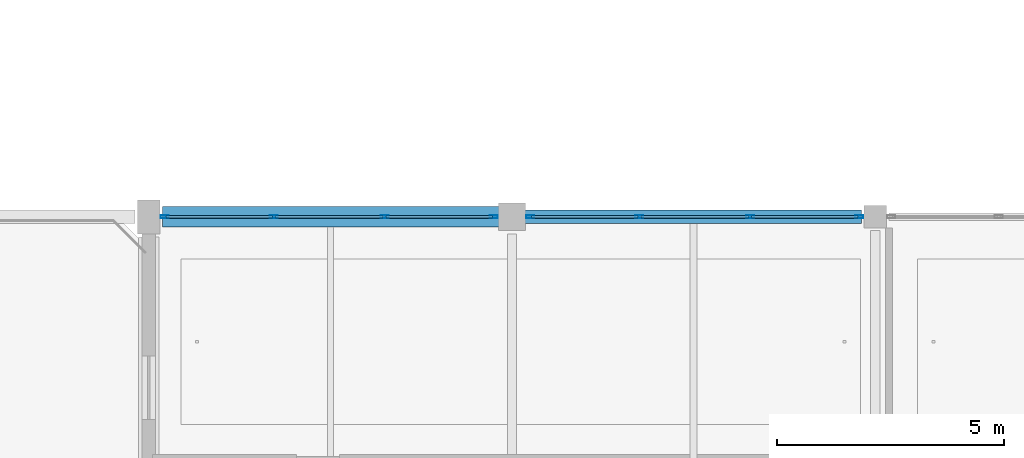
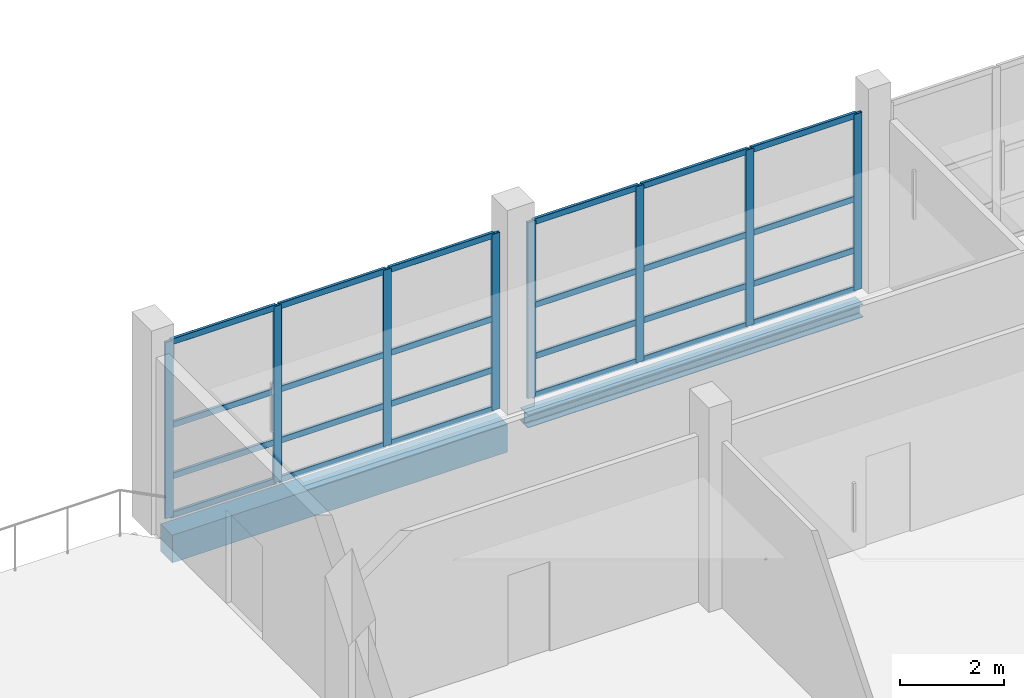
# One storey, part 22 of 107: 32 members, 2 beams, 2 elements without a shape of their own.
"""IFC4 building model written with IfcOpenShell, lengths in metres."""

from ifc_helpers import new_model, si_unit, direction, frame, origin, origin_2d, place, context, subcontext, project, spatial, rectangle, hollow_rectangle, i_section, extrude, material, material_profile, profile_set, type_object, element, aggregate, save


model = new_model("IFC4")

# Units and contexts
model_context = context("Model", 3, precision=1e-05, world=origin(), true_north=direction((0.0, 1.0)))
body_context = subcontext(model_context, "Body", "Model", "MODEL_VIEW")
ifc_project = project(units=[si_unit("LENGTHUNIT", "METRE"), si_unit("AREAUNIT", "SQUARE_METRE"), si_unit("VOLUMEUNIT", "CUBIC_METRE"), si_unit("PLANEANGLEUNIT", "RADIAN"), si_unit("MASSUNIT", "GRAM", prefix="KILO")], contexts=[model_context])

# Site, building, storey
site_placement = place(None, origin())
site = spatial("IfcSite", under=ifc_project, at=site_placement, CompositionType="ELEMENT")
building_placement = place(site_placement, origin())
building = spatial("IfcBuilding", under=site, at=building_placement, Name="Khelvaren Railside Concert Hall", CompositionType="ELEMENT")
storey_placement = place(building_placement, frame((0.0, 0.0, 15.0)))
storey = spatial("IfcBuildingStorey", under=building, at=storey_placement, Name="L03", CompositionType="ELEMENT", Elevation=15.0)

# Curtain wall, members
ifc_material_1 = material(Name="Double-glazed low-E dark acoustic glass", Category="glass")
curtain_wall_type_1 = type_object("IfcCurtainWallType", Name="CW32", PredefinedType="USERDEFINED", material=ifc_material_1)
curtain_wall_1_placement = place(storey_placement, origin())
curtain_wall_1 = element("IfcCurtainWall", 1, at=curtain_wall_1_placement, inside=storey, type_object=curtain_wall_type_1, Name="Unitised Curtain Wall CW-V3-L03-N-104", ObjectType="UNITISED CURTAIN WALL", PredefinedType="USERDEFINED")
ifc_material_2 = material(Name="Anodised architectural aluminium 6063-T6", Category="aluminium")
ifc_material_profile_1 = material_profile(ifc_material_2, hollow_rectangle(XDim=0.06494140625, YDim=0.179931640625, WallThickness=0.00390625, InnerFilletRadius=0.001953125, OuterFilletRadius=0.00390625, at=origin_2d()), Name="CWM 65x180x4")
ifc_profile_set_1 = profile_set([ifc_material_profile_1], Name="Anodised architectural aluminium 6063-T6")
member_type_1 = type_object("IfcMemberType", Name="CWM63", PredefinedType="MULLION", material=ifc_profile_set_1)
member_1_placement = place(storey_placement, frame((104.35009765625, 15.199951171875, 0.0), z_axis=(0.0, 0.0, 1.0), x_axis=(0.0, 1.0, 0.0)))
member_1 = element("IfcMember", 2, at=member_1_placement, type_object=member_type_1, Name="CW32 mullion 1", PredefinedType="MULLION", context=body_context, shape_type="SweptSolid", body=[
    extrude(hollow_rectangle(XDim=0.06494140625, YDim=0.179931640625, WallThickness=0.00390625, InnerFilletRadius=0.001953125, OuterFilletRadius=0.00390625, at=origin_2d()), origin(), (0.0, 0.0, 1.0), 4.139892578125),
])
member_2_placement = place(storey_placement, frame((106.755859375, 15.199951171875, 0.0), z_axis=(0.0, 0.0, 1.0), x_axis=(0.0, 1.0, 0.0)))
member_2 = element("IfcMember", 3, at=member_2_placement, type_object=member_type_1, Name="CW32 mullion 2", PredefinedType="MULLION", context=body_context, shape_type="SweptSolid", body=[
    extrude(hollow_rectangle(XDim=0.06494140625, YDim=0.179931640625, WallThickness=0.00390625, InnerFilletRadius=0.001953125, OuterFilletRadius=0.00390625, at=origin_2d()), origin(), (0.0, 0.0, 1.0), 4.139892578125),
])
member_3_placement = place(storey_placement, frame((109.194091796875, 15.199951171875, 0.0), z_axis=(0.0, 0.0, 1.0), x_axis=(0.0, 1.0, 0.0)))
member_3 = element("IfcMember", 4, at=member_3_placement, type_object=member_type_1, Name="CW32 mullion 3", PredefinedType="MULLION", context=body_context, shape_type="SweptSolid", body=[
    extrude(hollow_rectangle(XDim=0.06494140625, YDim=0.179931640625, WallThickness=0.00390625, InnerFilletRadius=0.001953125, OuterFilletRadius=0.00390625, at=origin_2d()), origin(), (0.0, 0.0, 1.0), 4.139892578125),
])
member_4_placement = place(storey_placement, frame((111.60009765625, 15.199951171875, 0.0), z_axis=(0.0, 0.0, 1.0), x_axis=(0.0, 1.0, 0.0)))
member_4 = element("IfcMember", 5, at=member_4_placement, type_object=member_type_1, Name="CW32 mullion 4", PredefinedType="MULLION", context=body_context, shape_type="SweptSolid", body=[
    extrude(hollow_rectangle(XDim=0.06494140625, YDim=0.179931640625, WallThickness=0.00390625, InnerFilletRadius=0.001953125, OuterFilletRadius=0.00390625, at=origin_2d()), origin(), (0.0, 0.0, 1.0), 4.139892578125),
])

curtain_wall_type_2 = type_object("IfcCurtainWallType", Name="CW94", PredefinedType="USERDEFINED", material=ifc_material_1)
curtain_wall_2_placement = place(storey_placement, origin())
curtain_wall_2 = element("IfcCurtainWall", 6, at=curtain_wall_2_placement, inside=storey, type_object=curtain_wall_type_2, Name="Unitised Curtain Wall CW-V3-L03-N-112", ObjectType="UNITISED CURTAIN WALL", PredefinedType="USERDEFINED")
member_5_placement = place(storey_placement, frame((112.39990234375, 15.199951171875, 0.0), z_axis=(0.0, 0.0, 1.0), x_axis=(0.0, 1.0, 0.0)))
member_5 = element("IfcMember", 7, at=member_5_placement, type_object=member_type_1, Name="CW94 mullion 1", PredefinedType="MULLION", context=body_context, shape_type="SweptSolid", body=[
    extrude(hollow_rectangle(XDim=0.06494140625, YDim=0.179931640625, WallThickness=0.00390625, InnerFilletRadius=0.001953125, OuterFilletRadius=0.00390625, at=origin_2d()), origin(), (0.0, 0.0, 1.0), 4.139892578125),
])
member_6_placement = place(storey_placement, frame((114.805908203125, 15.199951171875, 0.0), z_axis=(0.0, 0.0, 1.0), x_axis=(0.0, 1.0, 0.0)))
member_6 = element("IfcMember", 8, at=member_6_placement, type_object=member_type_1, Name="CW94 mullion 2", PredefinedType="MULLION", context=body_context, shape_type="SweptSolid", body=[
    extrude(hollow_rectangle(XDim=0.06494140625, YDim=0.179931640625, WallThickness=0.00390625, InnerFilletRadius=0.001953125, OuterFilletRadius=0.00390625, at=origin_2d()), origin(), (0.0, 0.0, 1.0), 4.139892578125),
])
member_7_placement = place(storey_placement, frame((117.244140625, 15.199951171875, 0.0), z_axis=(0.0, 0.0, 1.0), x_axis=(0.0, 1.0, 0.0)))
member_7 = element("IfcMember", 9, at=member_7_placement, type_object=member_type_1, Name="CW94 mullion 3", PredefinedType="MULLION", context=body_context, shape_type="SweptSolid", body=[
    extrude(hollow_rectangle(XDim=0.06494140625, YDim=0.179931640625, WallThickness=0.00390625, InnerFilletRadius=0.001953125, OuterFilletRadius=0.00390625, at=origin_2d()), origin(), (0.0, 0.0, 1.0), 4.139892578125),
])
member_8_placement = place(storey_placement, frame((119.64990234375, 15.199951171875, 0.0), z_axis=(0.0, 0.0, 1.0), x_axis=(0.0, 1.0, 0.0)))
member_8 = element("IfcMember", 10, at=member_8_placement, type_object=member_type_1, Name="CW94 mullion 4", PredefinedType="MULLION", context=body_context, shape_type="SweptSolid", body=[
    extrude(hollow_rectangle(XDim=0.06494140625, YDim=0.179931640625, WallThickness=0.00390625, InnerFilletRadius=0.001953125, OuterFilletRadius=0.00390625, at=origin_2d()), origin(), (0.0, 0.0, 1.0), 4.139892578125),
])

# Member
ifc_material_profile_2 = material_profile(ifc_material_2, hollow_rectangle(XDim=0.06494140625, YDim=0.139892578125, WallThickness=0.00390625, InnerFilletRadius=0.001953125, OuterFilletRadius=0.00390625, at=origin_2d()), Name="CWT 65x140x4")
ifc_profile_set_2 = profile_set([ifc_material_profile_2], Name="Anodised architectural aluminium 6063-T6")
member_type_2 = type_object("IfcMemberType", Name="CWT72", PredefinedType="USERDEFINED", material=ifc_profile_set_2)
member_9_placement = place(storey_placement, frame((104.382568359375, 15.199951171875, 0.032470703125), z_axis=(1.0, 0.0, 0.0), x_axis=(0.0, 1.0, 0.0)))
member_9 = element("IfcMember", 11, at=member_9_placement, type_object=member_type_2, Name="CW32 transom 1.1", ObjectType="TRANSOM", PredefinedType="USERDEFINED", context=body_context, shape_type="SweptSolid", body=[
    extrude(hollow_rectangle(XDim=0.06494140625, YDim=0.139892578125, WallThickness=0.00390625, InnerFilletRadius=0.001953125, OuterFilletRadius=0.00390625, at=origin_2d()), origin(), (0.0, 0.0, 1.0), 2.3408203125),
])

member_10_placement = place(storey_placement, frame((104.382568359375, 15.199951171875, 0.949951171875), z_axis=(1.0, 0.0, 0.0), x_axis=(0.0, 1.0, 0.0)))
member_10 = element("IfcMember", 12, at=member_10_placement, type_object=member_type_2, Name="CW32 transom 1.2", ObjectType="TRANSOM", PredefinedType="USERDEFINED", context=body_context, shape_type="SweptSolid", body=[
    extrude(hollow_rectangle(XDim=0.06494140625, YDim=0.139892578125, WallThickness=0.00390625, InnerFilletRadius=0.001953125, OuterFilletRadius=0.00390625, at=origin_2d()), origin(), (0.0, 0.0, 1.0), 2.3408203125),
])

member_11_placement = place(storey_placement, frame((104.382568359375, 15.199951171875, 2.15283203125), z_axis=(1.0, 0.0, 0.0), x_axis=(0.0, 1.0, 0.0)))
member_11 = element("IfcMember", 13, at=member_11_placement, type_object=member_type_2, Name="CW32 transom 1.3", ObjectType="TRANSOM", PredefinedType="USERDEFINED", context=body_context, shape_type="SweptSolid", body=[
    extrude(hollow_rectangle(XDim=0.06494140625, YDim=0.139892578125, WallThickness=0.00390625, InnerFilletRadius=0.001953125, OuterFilletRadius=0.00390625, at=origin_2d()), origin(), (0.0, 0.0, 1.0), 2.3408203125),
])

member_12_placement = place(storey_placement, frame((104.382568359375, 15.199951171875, 4.107421875), z_axis=(1.0, 0.0, 0.0), x_axis=(0.0, 1.0, 0.0)))
member_12 = element("IfcMember", 14, at=member_12_placement, type_object=member_type_2, Name="CW32 transom 1.4", ObjectType="TRANSOM", PredefinedType="USERDEFINED", context=body_context, shape_type="SweptSolid", body=[
    extrude(hollow_rectangle(XDim=0.06494140625, YDim=0.139892578125, WallThickness=0.00390625, InnerFilletRadius=0.001953125, OuterFilletRadius=0.00390625, at=origin_2d()), origin(), (0.0, 0.0, 1.0), 2.3408203125),
])

member_13_placement = place(storey_placement, frame((106.788330078125, 15.199951171875, 0.032470703125), z_axis=(1.0, 0.0, 0.0), x_axis=(0.0, 1.0, 0.0)))
member_13 = element("IfcMember", 15, at=member_13_placement, type_object=member_type_2, Name="CW32 transom 2.1", ObjectType="TRANSOM", PredefinedType="USERDEFINED", context=body_context, shape_type="SweptSolid", body=[
    extrude(hollow_rectangle(XDim=0.06494140625, YDim=0.139892578125, WallThickness=0.00390625, InnerFilletRadius=0.001953125, OuterFilletRadius=0.00390625, at=origin_2d()), origin(), (0.0, 0.0, 1.0), 2.373291015625),
])

member_14_placement = place(storey_placement, frame((106.788330078125, 15.199951171875, 0.949951171875), z_axis=(1.0, 0.0, 0.0), x_axis=(0.0, 1.0, 0.0)))
member_14 = element("IfcMember", 16, at=member_14_placement, type_object=member_type_2, Name="CW32 transom 2.2", ObjectType="TRANSOM", PredefinedType="USERDEFINED", context=body_context, shape_type="SweptSolid", body=[
    extrude(hollow_rectangle(XDim=0.06494140625, YDim=0.139892578125, WallThickness=0.00390625, InnerFilletRadius=0.001953125, OuterFilletRadius=0.00390625, at=origin_2d()), origin(), (0.0, 0.0, 1.0), 2.373291015625),
])

member_15_placement = place(storey_placement, frame((106.788330078125, 15.199951171875, 2.15283203125), z_axis=(1.0, 0.0, 0.0), x_axis=(0.0, 1.0, 0.0)))
member_15 = element("IfcMember", 17, at=member_15_placement, type_object=member_type_2, Name="CW32 transom 2.3", ObjectType="TRANSOM", PredefinedType="USERDEFINED", context=body_context, shape_type="SweptSolid", body=[
    extrude(hollow_rectangle(XDim=0.06494140625, YDim=0.139892578125, WallThickness=0.00390625, InnerFilletRadius=0.001953125, OuterFilletRadius=0.00390625, at=origin_2d()), origin(), (0.0, 0.0, 1.0), 2.373291015625),
])

member_16_placement = place(storey_placement, frame((106.788330078125, 15.199951171875, 4.107421875), z_axis=(1.0, 0.0, 0.0), x_axis=(0.0, 1.0, 0.0)))
member_16 = element("IfcMember", 18, at=member_16_placement, type_object=member_type_2, Name="CW32 transom 2.4", ObjectType="TRANSOM", PredefinedType="USERDEFINED", context=body_context, shape_type="SweptSolid", body=[
    extrude(hollow_rectangle(XDim=0.06494140625, YDim=0.139892578125, WallThickness=0.00390625, InnerFilletRadius=0.001953125, OuterFilletRadius=0.00390625, at=origin_2d()), origin(), (0.0, 0.0, 1.0), 2.373291015625),
])

member_17_placement = place(storey_placement, frame((109.2265625, 15.199951171875, 0.032470703125), z_axis=(1.0, 0.0, 0.0), x_axis=(0.0, 1.0, 0.0)))
member_17 = element("IfcMember", 19, at=member_17_placement, type_object=member_type_2, Name="CW32 transom 3.1", ObjectType="TRANSOM", PredefinedType="USERDEFINED", context=body_context, shape_type="SweptSolid", body=[
    extrude(hollow_rectangle(XDim=0.06494140625, YDim=0.139892578125, WallThickness=0.00390625, InnerFilletRadius=0.001953125, OuterFilletRadius=0.00390625, at=origin_2d()), origin(), (0.0, 0.0, 1.0), 2.3408203125),
])

member_18_placement = place(storey_placement, frame((109.2265625, 15.199951171875, 0.949951171875), z_axis=(1.0, 0.0, 0.0), x_axis=(0.0, 1.0, 0.0)))
member_18 = element("IfcMember", 20, at=member_18_placement, type_object=member_type_2, Name="CW32 transom 3.2", ObjectType="TRANSOM", PredefinedType="USERDEFINED", context=body_context, shape_type="SweptSolid", body=[
    extrude(hollow_rectangle(XDim=0.06494140625, YDim=0.139892578125, WallThickness=0.00390625, InnerFilletRadius=0.001953125, OuterFilletRadius=0.00390625, at=origin_2d()), origin(), (0.0, 0.0, 1.0), 2.3408203125),
])

member_19_placement = place(storey_placement, frame((109.2265625, 15.199951171875, 2.15283203125), z_axis=(1.0, 0.0, 0.0), x_axis=(0.0, 1.0, 0.0)))
member_19 = element("IfcMember", 21, at=member_19_placement, type_object=member_type_2, Name="CW32 transom 3.3", ObjectType="TRANSOM", PredefinedType="USERDEFINED", context=body_context, shape_type="SweptSolid", body=[
    extrude(hollow_rectangle(XDim=0.06494140625, YDim=0.139892578125, WallThickness=0.00390625, InnerFilletRadius=0.001953125, OuterFilletRadius=0.00390625, at=origin_2d()), origin(), (0.0, 0.0, 1.0), 2.3408203125),
])

member_20_placement = place(storey_placement, frame((109.2265625, 15.199951171875, 4.107421875), z_axis=(1.0, 0.0, 0.0), x_axis=(0.0, 1.0, 0.0)))
member_20 = element("IfcMember", 22, at=member_20_placement, type_object=member_type_2, Name="CW32 transom 3.4", ObjectType="TRANSOM", PredefinedType="USERDEFINED", context=body_context, shape_type="SweptSolid", body=[
    extrude(hollow_rectangle(XDim=0.06494140625, YDim=0.139892578125, WallThickness=0.00390625, InnerFilletRadius=0.001953125, OuterFilletRadius=0.00390625, at=origin_2d()), origin(), (0.0, 0.0, 1.0), 2.3408203125),
])

aggregate(curtain_wall_1, [member_1, member_2, member_3, member_4, member_9, member_10, member_11, member_12, member_13, member_14, member_15, member_16, member_17, member_18, member_19, member_20])

member_21_placement = place(storey_placement, frame((112.4326171875, 15.199951171875, 0.032470703125), z_axis=(1.0, 0.0, 0.0), x_axis=(0.0, 1.0, 0.0)))
member_21 = element("IfcMember", 23, at=member_21_placement, type_object=member_type_2, Name="CW94 transom 1.1", ObjectType="TRANSOM", PredefinedType="USERDEFINED", context=body_context, shape_type="SweptSolid", body=[
    extrude(hollow_rectangle(XDim=0.06494140625, YDim=0.139892578125, WallThickness=0.00390625, InnerFilletRadius=0.001953125, OuterFilletRadius=0.00390625, at=origin_2d()), origin(), (0.0, 0.0, 1.0), 2.3408203125),
])

member_22_placement = place(storey_placement, frame((112.4326171875, 15.199951171875, 0.949951171875), z_axis=(1.0, 0.0, 0.0), x_axis=(0.0, 1.0, 0.0)))
member_22 = element("IfcMember", 24, at=member_22_placement, type_object=member_type_2, Name="CW94 transom 1.2", ObjectType="TRANSOM", PredefinedType="USERDEFINED", context=body_context, shape_type="SweptSolid", body=[
    extrude(hollow_rectangle(XDim=0.06494140625, YDim=0.139892578125, WallThickness=0.00390625, InnerFilletRadius=0.001953125, OuterFilletRadius=0.00390625, at=origin_2d()), origin(), (0.0, 0.0, 1.0), 2.3408203125),
])

member_23_placement = place(storey_placement, frame((112.4326171875, 15.199951171875, 2.15283203125), z_axis=(1.0, 0.0, 0.0), x_axis=(0.0, 1.0, 0.0)))
member_23 = element("IfcMember", 25, at=member_23_placement, type_object=member_type_2, Name="CW94 transom 1.3", ObjectType="TRANSOM", PredefinedType="USERDEFINED", context=body_context, shape_type="SweptSolid", body=[
    extrude(hollow_rectangle(XDim=0.06494140625, YDim=0.139892578125, WallThickness=0.00390625, InnerFilletRadius=0.001953125, OuterFilletRadius=0.00390625, at=origin_2d()), origin(), (0.0, 0.0, 1.0), 2.3408203125),
])

member_24_placement = place(storey_placement, frame((112.4326171875, 15.199951171875, 4.107421875), z_axis=(1.0, 0.0, 0.0), x_axis=(0.0, 1.0, 0.0)))
member_24 = element("IfcMember", 26, at=member_24_placement, type_object=member_type_2, Name="CW94 transom 1.4", ObjectType="TRANSOM", PredefinedType="USERDEFINED", context=body_context, shape_type="SweptSolid", body=[
    extrude(hollow_rectangle(XDim=0.06494140625, YDim=0.139892578125, WallThickness=0.00390625, InnerFilletRadius=0.001953125, OuterFilletRadius=0.00390625, at=origin_2d()), origin(), (0.0, 0.0, 1.0), 2.3408203125),
])

member_25_placement = place(storey_placement, frame((114.83837890625, 15.199951171875, 0.032470703125), z_axis=(1.0, 0.0, 0.0), x_axis=(0.0, 1.0, 0.0)))
member_25 = element("IfcMember", 27, at=member_25_placement, type_object=member_type_2, Name="CW94 transom 2.1", ObjectType="TRANSOM", PredefinedType="USERDEFINED", context=body_context, shape_type="SweptSolid", body=[
    extrude(hollow_rectangle(XDim=0.06494140625, YDim=0.139892578125, WallThickness=0.00390625, InnerFilletRadius=0.001953125, OuterFilletRadius=0.00390625, at=origin_2d()), origin(), (0.0, 0.0, 1.0), 2.373291015625),
])

member_26_placement = place(storey_placement, frame((114.83837890625, 15.199951171875, 0.949951171875), z_axis=(1.0, 0.0, 0.0), x_axis=(0.0, 1.0, 0.0)))
member_26 = element("IfcMember", 28, at=member_26_placement, type_object=member_type_2, Name="CW94 transom 2.2", ObjectType="TRANSOM", PredefinedType="USERDEFINED", context=body_context, shape_type="SweptSolid", body=[
    extrude(hollow_rectangle(XDim=0.06494140625, YDim=0.139892578125, WallThickness=0.00390625, InnerFilletRadius=0.001953125, OuterFilletRadius=0.00390625, at=origin_2d()), origin(), (0.0, 0.0, 1.0), 2.373291015625),
])

member_27_placement = place(storey_placement, frame((114.83837890625, 15.199951171875, 2.15283203125), z_axis=(1.0, 0.0, 0.0), x_axis=(0.0, 1.0, 0.0)))
member_27 = element("IfcMember", 29, at=member_27_placement, type_object=member_type_2, Name="CW94 transom 2.3", ObjectType="TRANSOM", PredefinedType="USERDEFINED", context=body_context, shape_type="SweptSolid", body=[
    extrude(hollow_rectangle(XDim=0.06494140625, YDim=0.139892578125, WallThickness=0.00390625, InnerFilletRadius=0.001953125, OuterFilletRadius=0.00390625, at=origin_2d()), origin(), (0.0, 0.0, 1.0), 2.373291015625),
])

member_28_placement = place(storey_placement, frame((114.83837890625, 15.199951171875, 4.107421875), z_axis=(1.0, 0.0, 0.0), x_axis=(0.0, 1.0, 0.0)))
member_28 = element("IfcMember", 30, at=member_28_placement, type_object=member_type_2, Name="CW94 transom 2.4", ObjectType="TRANSOM", PredefinedType="USERDEFINED", context=body_context, shape_type="SweptSolid", body=[
    extrude(hollow_rectangle(XDim=0.06494140625, YDim=0.139892578125, WallThickness=0.00390625, InnerFilletRadius=0.001953125, OuterFilletRadius=0.00390625, at=origin_2d()), origin(), (0.0, 0.0, 1.0), 2.373291015625),
])

member_29_placement = place(storey_placement, frame((117.276611328125, 15.199951171875, 0.032470703125), z_axis=(1.0, 0.0, 0.0), x_axis=(0.0, 1.0, 0.0)))
member_29 = element("IfcMember", 31, at=member_29_placement, type_object=member_type_2, Name="CW94 transom 3.1", ObjectType="TRANSOM", PredefinedType="USERDEFINED", context=body_context, shape_type="SweptSolid", body=[
    extrude(hollow_rectangle(XDim=0.06494140625, YDim=0.139892578125, WallThickness=0.00390625, InnerFilletRadius=0.001953125, OuterFilletRadius=0.00390625, at=origin_2d()), origin(), (0.0, 0.0, 1.0), 2.3408203125),
])

member_30_placement = place(storey_placement, frame((117.276611328125, 15.199951171875, 0.949951171875), z_axis=(1.0, 0.0, 0.0), x_axis=(0.0, 1.0, 0.0)))
member_30 = element("IfcMember", 32, at=member_30_placement, type_object=member_type_2, Name="CW94 transom 3.2", ObjectType="TRANSOM", PredefinedType="USERDEFINED", context=body_context, shape_type="SweptSolid", body=[
    extrude(hollow_rectangle(XDim=0.06494140625, YDim=0.139892578125, WallThickness=0.00390625, InnerFilletRadius=0.001953125, OuterFilletRadius=0.00390625, at=origin_2d()), origin(), (0.0, 0.0, 1.0), 2.3408203125),
])

member_31_placement = place(storey_placement, frame((117.276611328125, 15.199951171875, 2.15283203125), z_axis=(1.0, 0.0, 0.0), x_axis=(0.0, 1.0, 0.0)))
member_31 = element("IfcMember", 33, at=member_31_placement, type_object=member_type_2, Name="CW94 transom 3.3", ObjectType="TRANSOM", PredefinedType="USERDEFINED", context=body_context, shape_type="SweptSolid", body=[
    extrude(hollow_rectangle(XDim=0.06494140625, YDim=0.139892578125, WallThickness=0.00390625, InnerFilletRadius=0.001953125, OuterFilletRadius=0.00390625, at=origin_2d()), origin(), (0.0, 0.0, 1.0), 2.3408203125),
])

member_32_placement = place(storey_placement, frame((117.276611328125, 15.199951171875, 4.107421875), z_axis=(1.0, 0.0, 0.0), x_axis=(0.0, 1.0, 0.0)))
member_32 = element("IfcMember", 34, at=member_32_placement, type_object=member_type_2, Name="CW94 transom 3.4", ObjectType="TRANSOM", PredefinedType="USERDEFINED", context=body_context, shape_type="SweptSolid", body=[
    extrude(hollow_rectangle(XDim=0.06494140625, YDim=0.139892578125, WallThickness=0.00390625, InnerFilletRadius=0.001953125, OuterFilletRadius=0.00390625, at=origin_2d()), origin(), (0.0, 0.0, 1.0), 2.3408203125),
])

aggregate(curtain_wall_2, [member_5, member_6, member_7, member_8, member_21, member_22, member_23, member_24, member_25, member_26, member_27, member_28, member_29, member_30, member_31, member_32])

# Beams
ifc_material_3 = material(Name="Concrete C40/50", Category="concrete")
ifc_material_profile_3 = material_profile(ifc_material_3, rectangle(XDim=0.449951171875, YDim=0.64990234375, at=origin_2d()), Name="RCB 450x650")
ifc_profile_set_3 = profile_set([ifc_material_profile_3], Name="Concrete C40/50")
beam_type_1 = type_object("IfcBeamType", Name="SP34", PredefinedType="SPANDREL", material=ifc_profile_set_3)
beam_1_placement = place(storey_placement, frame((104.300048828125, 15.199951171875, -0.60498046875), z_axis=(1.0, 0.0, 0.0), x_axis=(0.0, 1.0, 0.0)))
element("IfcBeam", 35, at=beam_1_placement, inside=storey, type_object=beam_type_1, Name="V3 L03 Spandrel X3.6", PredefinedType="SPANDREL", context=body_context, shape_type="SweptSolid", body=[
    extrude(rectangle(XDim=0.449951171875, YDim=0.64990234375, at=origin_2d()), origin(), (0.0, 0.0, 1.0), 7.449951171875),
])
ifc_material_4 = material(Name="Steel S355", Category="steel")
ifc_material_profile_4 = material_profile(ifc_material_4, i_section(OverallWidth=0.300048828125, OverallDepth=0.31005859375, WebThickness=0.009033203125, FlangeThickness=0.015380859375, FilletRadius=0.027099609375, at=origin_2d()), Name="HEA 320")
ifc_profile_set_4 = profile_set([ifc_material_profile_4], Name="Steel S355")
beam_type_2 = type_object("IfcBeamType", Name="SP66", PredefinedType="SPANDREL", material=ifc_profile_set_4)
beam_2_placement = place(storey_placement, frame((112.25, 15.199951171875, -0.43505859375), z_axis=(1.0, 0.0, 0.0), x_axis=(0.0, 1.0, 0.0)))
element("IfcBeam", 36, at=beam_2_placement, inside=storey, type_object=beam_type_2, Name="V3 L03 Spandrel X3.7", PredefinedType="SPANDREL", context=body_context, shape_type="SweptSolid", body=[
    extrude(i_section(OverallWidth=0.300048828125, OverallDepth=0.31005859375, WebThickness=0.009033203125, FlangeThickness=0.015380859375, FilletRadius=0.027099609375, at=origin_2d()), origin(), (0.0, 0.0, 1.0), 7.449951171875),
])

save(model, "model.ifc")
